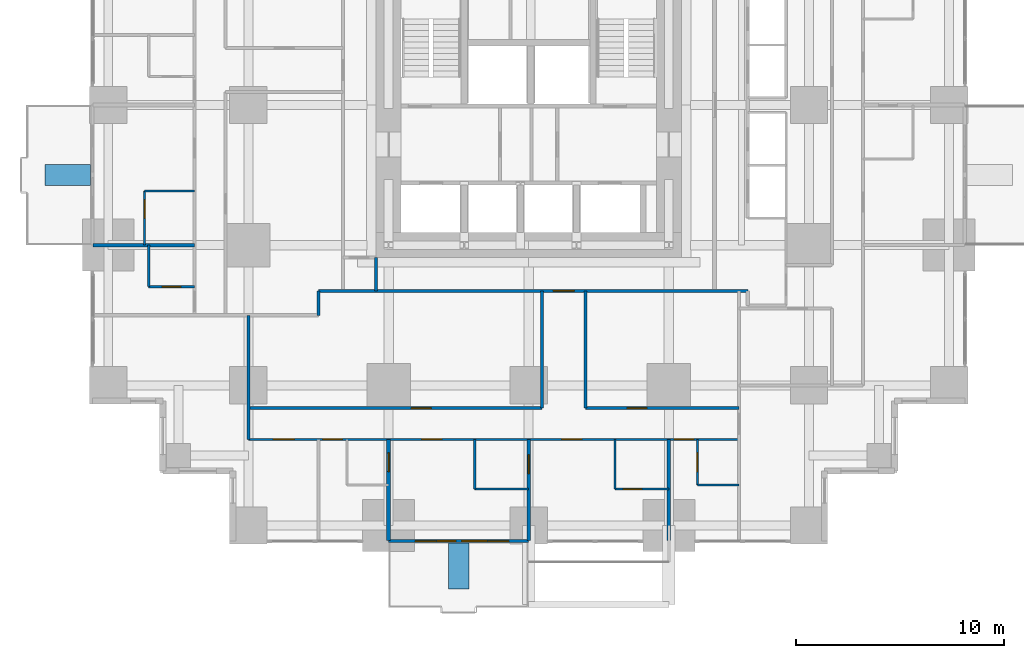
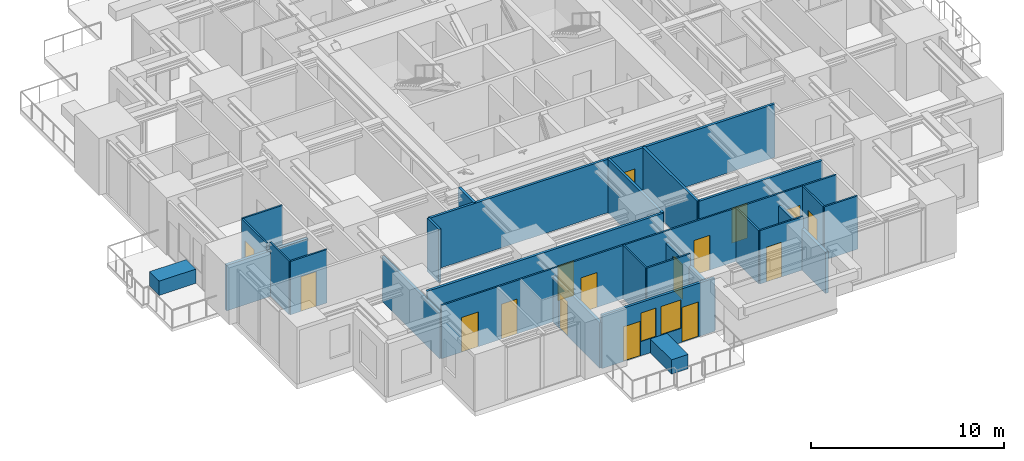
# One storey, part 6 of 12: 26 walls, 16 doors, 2 windows, 18 openings.
"""IFC4 building model written with IfcOpenShell, lengths in metres."""

from ifc_helpers import new_model, si_unit, direction, frame, frame_2d, origin, place, context, subcontext, project, spatial, rectangle, extrude, material, layer, layer_set, type_object, element, fill, save


model = new_model("IFC4")

# Units and contexts
model_context = context("Model", 3, precision=1e-05, world=origin(), true_north=direction((0.0, 1.0)))
body_context = subcontext(model_context, "Body", "Model", "MODEL_VIEW")
ifc_project = project(units=[si_unit("LENGTHUNIT", "METRE"), si_unit("AREAUNIT", "SQUARE_METRE"), si_unit("VOLUMEUNIT", "CUBIC_METRE"), si_unit("PLANEANGLEUNIT", "RADIAN"), si_unit("MASSUNIT", "GRAM", prefix="KILO")], contexts=[model_context])

# Site, building, storey
site_placement = place(None, origin())
site = spatial("IfcSite", under=ifc_project, at=site_placement, CompositionType="ELEMENT")
building_placement = place(site_placement, origin())
building = spatial("IfcBuilding", under=site, at=building_placement, Name="Nyansa Garden Tower", CompositionType="ELEMENT")
storey_placement = place(building_placement, frame((0.0, 0.0, 80.10009765625)))
storey = spatial("IfcBuildingStorey", under=building, at=storey_placement, Name="L21", CompositionType="ELEMENT", Elevation=80.10009765625)

# Wall
ifc_material_1 = material(Name="Dense blockwork, plastered both sides, 55 dB", Category="masonry")
ifc_layer_1 = layer(ifc_material_1, 0.175048828125)
ifc_layer_set_1 = layer_set([ifc_layer_1], Name="Acoustic party wall PW175")
wall_type_1 = type_object("IfcWallType", Name="Acoustic party wall PW175", PredefinedType="PARTITIONING", material=ifc_layer_set_1)
wall_1_placement = place(storey_placement, frame((-0.73388671875, 13.5, 0.0), z_axis=(0.0, 0.0, 1.0), x_axis=(1.0, 0.0, 0.0)))
element("IfcWall", 1, at=wall_1_placement, inside=storey, type_object=wall_type_1, Name="Party wall", PredefinedType="PARTITIONING", context=body_context, shape_type="SweptSolid", body=[
    extrude(rectangle(XDim=4.8837890625, YDim=0.175048828125, at=frame_2d((2.44189453125, 0.0))), origin(), (0.0, 0.0, 1.0), 2.876953125),
])

# Wall, opening, door
wall_2_placement = place(storey_placement, frame((13.5, -0.73388671875, 0.0), z_axis=(0.0, 0.0, 1.0), x_axis=(0.0, 1.0, 0.0)))
wall_2 = element("IfcWall", 2, at=wall_2_placement, inside=storey, type_object=wall_type_1, Name="Party wall", PredefinedType="PARTITIONING", context=body_context, shape_type="SweptSolid", body=[
    extrude(rectangle(XDim=4.8837890625, YDim=0.175048828125, at=frame_2d((2.44189453125, 0.0))), origin(), (0.0, 0.0, 1.0), 2.876953125),
])
opening_1_placement = place(wall_2_placement, frame((3.333984375, 0.0, 0.0)))
opening_1 = element("IfcOpeningElement", 3, at=opening_1_placement, cuts=wall_2, Name="Opening D02", PredefinedType="OPENING", context=body_context, shape_type="SweptSolid", body=[
    extrude(rectangle(XDim=0.89990234375, YDim=2.199951171875, at=frame_2d((0.449951171875, 1.10009765625))), frame((0.0, 0.097412109375, 0.0), z_axis=(0.0, -1.0, 0.0), x_axis=(1.0, 0.0, 0.0)), (0.0, 0.0, 1.0), 0.195068359375),
])
ifc_material_2 = material(Name="Timber flush door", Category="wood")
door_type_1 = type_object("IfcDoorType", Name="En-suite door D02 900x2200", OperationType="SINGLE_SWING_RIGHT", PredefinedType="DOOR", material=ifc_material_2)
door_1_placement = place(opening_1_placement, origin())
door_1 = element("IfcDoor", 4, at=door_1_placement, inside=storey, type_object=door_type_1, Name="Door L21-024", OperationType="SINGLE_SWING_RIGHT", OverallHeight=2.199951171875, OverallWidth=0.89990234375, PredefinedType="DOOR", context=body_context, shape_type="SweptSolid", body=[
    extrude(rectangle(XDim=0.89990234375, YDim=2.199951171875, at=frame_2d((0.449951171875, 1.10009765625))), frame((0.0, 0.02490234375, 0.0), z_axis=(0.0, -1.0, 0.0), x_axis=(1.0, 0.0, 0.0)), (0.0, 0.0, 1.0), 0.050048828125),
])
fill(opening_1, door_1)

wall_3_placement = place(storey_placement, frame((20.25, -0.73388671875, 0.0), z_axis=(0.0, 0.0, 1.0), x_axis=(0.0, 1.0, 0.0)))
wall_3 = element("IfcWall", 5, at=wall_3_placement, inside=storey, type_object=wall_type_1, Name="Party wall", PredefinedType="PARTITIONING", context=body_context, shape_type="SweptSolid", body=[
    extrude(rectangle(XDim=4.8837890625, YDim=0.175048828125, at=frame_2d((2.44189453125, 0.0))), origin(), (0.0, 0.0, 1.0), 2.60986328125),
])
opening_2_placement = place(wall_3_placement, frame((3.23388671875, 0.0, 0.0)))
opening_2 = element("IfcOpeningElement", 6, at=opening_2_placement, cuts=wall_3, Name="Opening D02", PredefinedType="OPENING", context=body_context, shape_type="SweptSolid", body=[
    extrude(rectangle(XDim=0.89990234375, YDim=2.199951171875, at=frame_2d((0.449951171875, 1.10009765625))), frame((0.0, 0.097412109375, 0.0), z_axis=(0.0, -1.0, 0.0), x_axis=(1.0, 0.0, 0.0)), (0.0, 0.0, 1.0), 0.195068359375),
])
door_2_placement = place(opening_2_placement, origin())
door_2 = element("IfcDoor", 7, at=door_2_placement, inside=storey, type_object=door_type_1, Name="Door L21-022", OperationType="SINGLE_SWING_RIGHT", OverallHeight=2.199951171875, OverallWidth=0.89990234375, PredefinedType="DOOR", context=body_context, shape_type="SweptSolid", body=[
    extrude(rectangle(XDim=0.89990234375, YDim=2.199951171875, at=frame_2d((0.449951171875, 1.10009765625))), frame((0.0, 0.02490234375, 0.0), z_axis=(0.0, -1.0, 0.0), x_axis=(1.0, 0.0, 0.0)), (0.0, 0.0, 1.0), 0.050048828125),
])
fill(opening_2, door_2)

# Wall
wall_4_placement = place(storey_placement, frame((27.0, -0.73388671875, 0.0), z_axis=(0.0, 0.0, 1.0), x_axis=(0.0, 1.0, 0.0)))
element("IfcWall", 8, at=wall_4_placement, inside=storey, type_object=wall_type_1, Name="Party wall", PredefinedType="PARTITIONING", context=body_context, shape_type="SweptSolid", body=[
    extrude(rectangle(XDim=4.8837890625, YDim=0.175048828125, at=frame_2d((2.44189453125, 0.0))), origin(), (0.0, 0.0, 1.0), 2.60986328125),
])

# Wall, openings, doors, windows
ifc_material_3 = material(Name="Black aluminium framed glazed screen", Category="aluminium")
ifc_layer_2 = layer(ifc_material_3, 0.14990234375)
ifc_layer_set_2 = layer_set([ifc_layer_2], Name="Balcony screen wall BW150")
wall_type_2 = type_object("IfcWallType", Name="Balcony screen wall BW150", PredefinedType="SOLIDWALL", material=ifc_layer_set_2)
wall_5_placement = place(storey_placement, frame((20.25, -0.75, 0.0), z_axis=(0.0, 0.0, 1.0), x_axis=(-1.0, 0.0, 0.0)))
wall_5 = element("IfcWall", 9, at=wall_5_placement, inside=storey, type_object=wall_type_2, Name="Glazed screen wall L21 S", PredefinedType="SOLIDWALL", context=body_context, shape_type="SweptSolid", body=[
    extrude(rectangle(XDim=6.75, YDim=0.14990234375, at=frame_2d((3.375, 0.0))), origin(), (0.0, 0.0, 1.0), 3.375),
])
opening_3_placement = place(wall_5_placement, frame((0.96240234375, 0.0, 0.0)))
opening_3 = element("IfcOpeningElement", 10, at=opening_3_placement, cuts=wall_5, Name="Opening D20", PredefinedType="OPENING", context=body_context, shape_type="SweptSolid", body=[
    extrude(rectangle(XDim=1.0, YDim=2.199951171875, at=frame_2d((0.5, 1.10009765625))), frame((0.0, 0.0849609375, 0.0), z_axis=(0.0, -1.0, 0.0), x_axis=(1.0, 0.0, 0.0)), (0.0, 0.0, 1.0), 0.169921875),
])
opening_4_placement = place(wall_5_placement, frame((2.02490234375, 0.0, 0.89990234375)))
opening_4 = element("IfcOpeningElement", 11, at=opening_4_placement, cuts=wall_5, Name="Opening W6", PredefinedType="OPENING", context=body_context, shape_type="SweptSolid", body=[
    extrude(rectangle(XDim=1.199951171875, YDim=1.800048828125, at=frame_2d((0.60009765625, 0.89990234375))), frame((0.0, 0.0849609375, 0.0), z_axis=(0.0, -1.0, 0.0), x_axis=(1.0, 0.0, 0.0)), (0.0, 0.0, 1.0), 0.169921875),
])
opening_5_placement = place(wall_5_placement, frame((4.4541015625, 0.0, 0.0)))
opening_5 = element("IfcOpeningElement", 12, at=opening_5_placement, cuts=wall_5, Name="Opening D20", PredefinedType="OPENING", context=body_context, shape_type="SweptSolid", body=[
    extrude(rectangle(XDim=1.0, YDim=2.199951171875, at=frame_2d((0.5, 1.10009765625))), frame((0.0, 0.0849609375, 0.0), z_axis=(0.0, -1.0, 0.0), x_axis=(1.0, 0.0, 0.0)), (0.0, 0.0, 1.0), 0.169921875),
])
opening_6_placement = place(wall_5_placement, frame((3.50830078125, 0.0, 0.89990234375)))
opening_6 = element("IfcOpeningElement", 13, at=opening_6_placement, cuts=wall_5, Name="Opening W7", PredefinedType="OPENING", context=body_context, shape_type="SweptSolid", body=[
    extrude(rectangle(XDim=0.89990234375, YDim=1.800048828125, at=frame_2d((0.449951171875, 0.89990234375))), frame((0.0, 0.0849609375, 0.0), z_axis=(0.0, -1.0, 0.0), x_axis=(1.0, 0.0, 0.0)), (0.0, 0.0, 1.0), 0.169921875),
])
ifc_material_4 = material(Name="Black aluminium framed glazed door", Category="aluminium")
door_type_2 = type_object("IfcDoorType", Name="Balcony door D20 1000x2200", OperationType="NOTDEFINED", PredefinedType="DOOR", material=ifc_material_4)
door_3_placement = place(opening_3_placement, origin())
door_3 = element("IfcDoor", 14, at=door_3_placement, inside=storey, type_object=door_type_2, Name="Balcony door L21", OperationType="SINGLE_SWING_LEFT", OverallHeight=2.199951171875, OverallWidth=1.0, PredefinedType="DOOR", context=body_context, shape_type="SweptSolid", body=[
    extrude(rectangle(XDim=1.0, YDim=2.199951171875, at=frame_2d((0.5, 1.10009765625))), frame((0.0, 0.02490234375, 0.0), z_axis=(0.0, -1.0, 0.0), x_axis=(1.0, 0.0, 0.0)), (0.0, 0.0, 1.0), 0.050048828125),
])
fill(opening_3, door_3)
door_4_placement = place(opening_5_placement, origin())
door_4 = element("IfcDoor", 15, at=door_4_placement, inside=storey, type_object=door_type_2, Name="Balcony door L21", OperationType="SINGLE_SWING_RIGHT", OverallHeight=2.199951171875, OverallWidth=1.0, PredefinedType="DOOR", context=body_context, shape_type="SweptSolid", body=[
    extrude(rectangle(XDim=1.0, YDim=2.199951171875, at=frame_2d((0.5, 1.10009765625))), frame((0.0, 0.02490234375, 0.0), z_axis=(0.0, -1.0, 0.0), x_axis=(1.0, 0.0, 0.0)), (0.0, 0.0, 1.0), 0.050048828125),
])
fill(opening_5, door_4)
ifc_material_5 = material(Name="Black aluminium frame, dark tinted double glazing", Category="aluminium")
window_type_1 = type_object("IfcWindowType", Name="Balcony window W6 1200x1800", PartitioningType="SINGLE_PANEL", PredefinedType="WINDOW", material=ifc_material_5)
window_1_placement = place(opening_4_placement, origin())
window_1 = element("IfcWindow", 16, at=window_1_placement, inside=storey, type_object=window_type_1, Name="Window L21", OverallHeight=1.800048828125, OverallWidth=1.199951171875, PartitioningType="SINGLE_PANEL", PredefinedType="WINDOW", context=body_context, shape_type="SweptSolid", body=[
    extrude(rectangle(XDim=1.199951171875, YDim=1.800048828125, at=frame_2d((0.60009765625, 0.89990234375))), frame((0.0, 0.030029296875, 0.0), z_axis=(0.0, -1.0, 0.0), x_axis=(1.0, 0.0, 0.0)), (0.0, 0.0, 1.0), 0.06005859375),
])
fill(opening_4, window_1)
ifc_material_6 = material(Name="Black aluminium frame, dark tinted double glazing", Category="aluminium")
window_type_2 = type_object("IfcWindowType", Name="Balcony window W7 900x1800", PartitioningType="SINGLE_PANEL", PredefinedType="WINDOW", material=ifc_material_6)
window_2_placement = place(opening_6_placement, origin())
window_2 = element("IfcWindow", 17, at=window_2_placement, inside=storey, type_object=window_type_2, Name="Window L21", OverallHeight=1.800048828125, OverallWidth=0.89990234375, PartitioningType="SINGLE_PANEL", PredefinedType="WINDOW", context=body_context, shape_type="SweptSolid", body=[
    extrude(rectangle(XDim=0.89990234375, YDim=1.800048828125, at=frame_2d((0.449951171875, 0.89990234375))), frame((0.0, 0.030029296875, 0.0), z_axis=(0.0, -1.0, 0.0), x_axis=(1.0, 0.0, 0.0)), (0.0, 0.0, 1.0), 0.06005859375),
])
fill(opening_6, window_2)

# Wall
ifc_material_7 = material(Name="Blockwork, plastered both sides", Category="masonry")
ifc_layer_3 = layer(ifc_material_7, 0.14990234375)
ifc_layer_set_3 = layer_set([ifc_layer_3], Name="Partition PW150")
wall_type_3 = type_object("IfcWallType", Name="Partition PW150", PredefinedType="PARTITIONING", material=ifc_layer_set_3)
wall_6_placement = place(storey_placement, frame((6.75, 4.14990234375, 0.0), z_axis=(0.0, 0.0, 1.0), x_axis=(0.0, 1.0, 0.0)))
element("IfcWall", 18, at=wall_6_placement, inside=storey, type_object=wall_type_3, Name="Partition", PredefinedType="PARTITIONING", context=body_context, shape_type="SweptSolid", body=[
    extrude(rectangle(XDim=5.97509765625, YDim=0.14990234375, at=frame_2d((2.987548828125, 0.0))), origin(), (0.0, 0.0, 1.0), 2.876953125),
])

# Wall, opening, door
wall_7_placement = place(storey_placement, frame((6.75, 5.64990234375, 0.0), z_axis=(0.0, 0.0, 1.0), x_axis=(1.0, 0.0, 0.0)))
wall_7 = element("IfcWall", 19, at=wall_7_placement, inside=storey, type_object=wall_type_3, Name="Partition", PredefinedType="PARTITIONING", context=body_context, shape_type="SweptSolid", body=[
    extrude(rectangle(XDim=14.137451171875, YDim=0.14990234375, at=frame_2d((7.06884765625, 0.0))), origin(), (0.0, 0.0, 1.0), 3.375),
])
opening_7_placement = place(wall_7_placement, frame((7.85009765625, 0.0, 0.0)))
opening_7 = element("IfcOpeningElement", 20, at=opening_7_placement, cuts=wall_7, Name="Opening D01", PredefinedType="OPENING", context=body_context, shape_type="SweptSolid", body=[
    extrude(rectangle(XDim=0.949951171875, YDim=2.199951171875, at=frame_2d((0.47509765625, 1.10009765625))), frame((0.0, 0.0849609375, 0.0), z_axis=(0.0, -1.0, 0.0), x_axis=(1.0, 0.0, 0.0)), (0.0, 0.0, 1.0), 0.169921875),
])
ifc_material_8 = material(Name="Timber flush door, 30 minute fire resisting", Category="wood")
door_type_3 = type_object("IfcDoorType", Name="Bedroom door D01 950x2200", OperationType="SINGLE_SWING_LEFT", PredefinedType="DOOR", material=ifc_material_8)
door_5_placement = place(opening_7_placement, origin())
door_5 = element("IfcDoor", 21, at=door_5_placement, inside=storey, type_object=door_type_3, Name="Door L21-029", OperationType="SINGLE_SWING_LEFT", OverallHeight=2.199951171875, OverallWidth=0.949951171875, PredefinedType="DOOR", context=body_context, shape_type="SweptSolid", body=[
    extrude(rectangle(XDim=0.949951171875, YDim=2.199951171875, at=frame_2d((0.47509765625, 1.10009765625))), frame((0.0, 0.02490234375, 0.0), z_axis=(0.0, -1.0, 0.0), x_axis=(1.0, 0.0, 0.0)), (0.0, 0.0, 1.0), 0.050048828125),
])
fill(opening_7, door_5)

# Wall
wall_8_placement = place(storey_placement, frame((10.125, 10.125, 0.0), z_axis=(0.0, 0.0, 1.0), x_axis=(0.0, 1.0, 0.0)))
element("IfcWall", 22, at=wall_8_placement, inside=storey, type_object=wall_type_3, Name="Partition", PredefinedType="PARTITIONING", context=body_context, shape_type="SweptSolid", body=[
    extrude(rectangle(XDim=1.175048828125, YDim=0.14990234375, at=frame_2d((0.58740234375, 0.0))), origin(), (0.0, 0.0, 1.0), 3.375),
])

# Wall, opening, door
wall_9_placement = place(storey_placement, frame((10.125, 11.300048828125, 0.0), z_axis=(0.0, 0.0, 1.0), x_axis=(1.0, 0.0, 0.0)))
wall_9 = element("IfcWall", 23, at=wall_9_placement, inside=storey, type_object=wall_type_3, Name="Partition", PredefinedType="PARTITIONING", context=body_context, shape_type="SweptSolid", body=[
    extrude(rectangle(XDim=20.675048828125, YDim=0.14990234375, at=frame_2d((10.33740234375, 0.0))), origin(), (0.0, 0.0, 1.0), 3.375),
])
opening_8_placement = place(wall_9_placement, frame((11.3125, 0.0, 0.0)))
opening_8 = element("IfcOpeningElement", 24, at=opening_8_placement, cuts=wall_9, Name="Opening D03", PredefinedType="OPENING", context=body_context, shape_type="SweptSolid", body=[
    extrude(rectangle(XDim=1.0, YDim=2.199951171875, at=frame_2d((0.5, 1.10009765625))), frame((0.0, 0.0849609375, 0.0), z_axis=(0.0, -1.0, 0.0), x_axis=(1.0, 0.0, 0.0)), (0.0, 0.0, 1.0), 0.169921875),
])
ifc_material_9 = material(Name="Timber flush door, 60 minute fire resisting", Category="wood")
door_type_4 = type_object("IfcDoorType", Name="Cluster entrance door D03 1000x2200", OperationType="SINGLE_SWING_LEFT", PredefinedType="DOOR", material=ifc_material_9)
door_6_placement = place(opening_8_placement, origin())
door_6 = element("IfcDoor", 25, at=door_6_placement, inside=storey, type_object=door_type_4, Name="Door L21-027", OperationType="SINGLE_SWING_LEFT", OverallHeight=2.199951171875, OverallWidth=1.0, PredefinedType="DOOR", context=body_context, shape_type="SweptSolid", body=[
    extrude(rectangle(XDim=1.0, YDim=2.199951171875, at=frame_2d((0.5, 1.10009765625))), frame((0.0, 0.02490234375, 0.0), z_axis=(0.0, -1.0, 0.0), x_axis=(1.0, 0.0, 0.0)), (0.0, 0.0, 1.0), 0.050048828125),
])
fill(opening_8, door_6)

# Walls
wall_10_placement = place(storey_placement, frame((12.89990234375, 11.300048828125, 0.0), z_axis=(0.0, 0.0, 1.0), x_axis=(0.0, 1.0, 0.0)))
element("IfcWall", 26, at=wall_10_placement, inside=storey, type_object=wall_type_3, Name="Partition", PredefinedType="PARTITIONING", context=body_context, shape_type="SweptSolid", body=[
    extrude(rectangle(XDim=1.599853515625, YDim=0.14990234375, at=frame_2d((0.7998046875, 0.0))), origin(), (0.0, 0.0, 1.0), 3.375),
])
wall_11_placement = place(storey_placement, frame((20.886962890625, 5.64990234375, 0.0), z_axis=(0.0, 0.0, 1.0), x_axis=(0.0, 1.0, 0.0)))
element("IfcWall", 27, at=wall_11_placement, inside=storey, type_object=wall_type_3, Name="Partition", PredefinedType="PARTITIONING", context=body_context, shape_type="SweptSolid", body=[
    extrude(rectangle(XDim=5.650146484375, YDim=0.14990234375, at=frame_2d((2.8251953125, 0.0))), origin(), (0.0, 0.0, 1.0), 3.375),
])

# Wall, opening, door
wall_12_placement = place(storey_placement, frame((22.987548828125, 5.64990234375, 0.0), z_axis=(0.0, 0.0, 1.0), x_axis=(1.0, 0.0, 0.0)))
wall_12 = element("IfcWall", 28, at=wall_12_placement, inside=storey, type_object=wall_type_3, Name="Partition", PredefinedType="PARTITIONING", context=body_context, shape_type="SweptSolid", body=[
    extrude(rectangle(XDim=7.387451171875, YDim=0.14990234375, at=frame_2d((3.69384765625, 0.0))), origin(), (0.0, 0.0, 1.0), 3.375),
])
opening_9_placement = place(wall_12_placement, frame((2.0, 0.0, 0.0)))
opening_9 = element("IfcOpeningElement", 29, at=opening_9_placement, cuts=wall_12, Name="Opening D01", PredefinedType="OPENING", context=body_context, shape_type="SweptSolid", body=[
    extrude(rectangle(XDim=0.949951171875, YDim=2.199951171875, at=frame_2d((0.47509765625, 1.10009765625))), frame((0.0, 0.0849609375, 0.0), z_axis=(0.0, -1.0, 0.0), x_axis=(1.0, 0.0, 0.0)), (0.0, 0.0, 1.0), 0.169921875),
])
door_7_placement = place(opening_9_placement, origin())
door_7 = element("IfcDoor", 30, at=door_7_placement, inside=storey, type_object=door_type_3, Name="Door L21-028", OperationType="SINGLE_SWING_LEFT", OverallHeight=2.199951171875, OverallWidth=0.949951171875, PredefinedType="DOOR", context=body_context, shape_type="SweptSolid", body=[
    extrude(rectangle(XDim=0.949951171875, YDim=2.199951171875, at=frame_2d((0.47509765625, 1.10009765625))), frame((0.0, 0.02490234375, 0.0), z_axis=(0.0, -1.0, 0.0), x_axis=(1.0, 0.0, 0.0)), (0.0, 0.0, 1.0), 0.050048828125),
])
fill(opening_9, door_7)

# Walls
wall_13_placement = place(storey_placement, frame((22.988037109375, 5.64990234375, 0.0), z_axis=(0.0, 0.0, 1.0), x_axis=(0.0, 1.0, 0.0)))
element("IfcWall", 31, at=wall_13_placement, inside=storey, type_object=wall_type_3, Name="Partition", PredefinedType="PARTITIONING", context=body_context, shape_type="SweptSolid", body=[
    extrude(rectangle(XDim=5.650146484375, YDim=0.14990234375, at=frame_2d((2.8251953125, 0.0))), origin(), (0.0, 0.0, 1.0), 3.375),
])
ifc_material_10 = material(Name="Concrete C40/50 planter, waterproofed", Category="concrete")
ifc_layer_4 = layer(ifc_material_10, 1.0)
ifc_layer_set_4 = layer_set([ifc_layer_4], Name="Tree planter TP1")
wall_type_4 = type_object("IfcWallType", Name="Tree planter TP1", PredefinedType="USERDEFINED", material=ifc_layer_set_4)
for number, where, z_axis, x_axis, name in (
    (32, (16.875, -0.85009765625, 0.0), (0.0, 0.0, 1.0), (0.0, -1.0, 0.0), "Tree planter L21"),
    (33, (-0.85009765625, 16.875, 0.0), (0.0, 0.0, 1.0), (-1.0, 0.0, 0.0), "Tree planter L21"),
):
    element("IfcWall", number, at=place(storey_placement, frame(where, z_axis=z_axis, x_axis=x_axis)), inside=storey, type_object=wall_type_4, Name=name, ObjectType="TREE PLANTER", PredefinedType="USERDEFINED", context=body_context, shape_type="SweptSolid", body=[
        extrude(rectangle(XDim=2.199951171875, YDim=1.0, at=frame_2d((1.10009765625, 0.0))), origin(), (0.0, 0.0, 1.0), 0.89990234375),
    ])

# Wall, opening, door
ifc_material_11 = material(Name="Moisture resistant board on steel studs, tiled", Category="steel")
ifc_layer_5 = layer(ifc_material_11, 0.10009765625)
ifc_layer_set_5 = layer_set([ifc_layer_5], Name="Wet wall PW100")
wall_type_5 = type_object("IfcWallType", Name="Wet wall PW100", PredefinedType="PARTITIONING", material=ifc_layer_set_5)
wall_14_placement = place(storey_placement, frame((1.75, 13.5, 0.0), z_axis=(0.0, 0.0, 1.0), x_axis=(0.0, 1.0, 0.0)))
wall_14 = element("IfcWall", 34, at=wall_14_placement, inside=storey, type_object=wall_type_5, Name="Wet wall", PredefinedType="PARTITIONING", context=body_context, shape_type="SweptSolid", body=[
    extrude(rectangle(XDim=2.60009765625, YDim=0.10009765625, at=frame_2d((1.300048828125, 0.0))), origin(), (0.0, 0.0, 1.0), 3.375),
])
opening_10_placement = place(wall_14_placement, frame((1.300048828125, 0.0, 0.0)))
opening_10 = element("IfcOpeningElement", 35, at=opening_10_placement, cuts=wall_14, Name="Opening D02", PredefinedType="OPENING", context=body_context, shape_type="SweptSolid", body=[
    extrude(rectangle(XDim=0.89990234375, YDim=2.199951171875, at=frame_2d((0.449951171875, 1.10009765625))), frame((0.0, 0.06005859375, 0.0), z_axis=(0.0, -1.0, 0.0), x_axis=(1.0, 0.0, 0.0)), (0.0, 0.0, 1.0), 0.1201171875),
])
door_8_placement = place(opening_10_placement, origin())
door_8 = element("IfcDoor", 36, at=door_8_placement, inside=storey, type_object=door_type_1, Name="Door L21-050", OperationType="SINGLE_SWING_RIGHT", OverallHeight=2.199951171875, OverallWidth=0.89990234375, PredefinedType="DOOR", context=body_context, shape_type="SweptSolid", body=[
    extrude(rectangle(XDim=0.89990234375, YDim=2.199951171875, at=frame_2d((0.449951171875, 1.10009765625))), frame((0.0, 0.02490234375, 0.0), z_axis=(0.0, -1.0, 0.0), x_axis=(1.0, 0.0, 0.0)), (0.0, 0.0, 1.0), 0.050048828125),
])
fill(opening_10, door_8)

# Walls
wall_15_placement = place(storey_placement, frame((1.75, 16.10009765625, 0.0), z_axis=(0.0, 0.0, 1.0), x_axis=(1.0, 0.0, 0.0)))
element("IfcWall", 37, at=wall_15_placement, inside=storey, type_object=wall_type_5, Name="Wet wall", PredefinedType="PARTITIONING", context=body_context, shape_type="SweptSolid", body=[
    extrude(rectangle(XDim=2.39990234375, YDim=0.10009765625, at=frame_2d((1.199951171875, 0.0))), origin(), (0.0, 0.0, 1.0), 3.375),
])
wall_16_placement = place(storey_placement, frame((1.949951171875, 11.5, 0.0), z_axis=(0.0, 0.0, 1.0), x_axis=(0.0, 1.0, 0.0)))
element("IfcWall", 38, at=wall_16_placement, inside=storey, type_object=wall_type_5, Name="Wet wall", PredefinedType="PARTITIONING", context=body_context, shape_type="SweptSolid", body=[
    extrude(rectangle(XDim=2.0, YDim=0.10009765625, at=frame_2d((1.0, 0.0))), origin(), (0.0, 0.0, 1.0), 3.375),
])

# Wall, opening, door
wall_17_placement = place(storey_placement, frame((1.949951171875, 11.5, 0.0), z_axis=(0.0, 0.0, 1.0), x_axis=(1.0, 0.0, 0.0)))
wall_17 = element("IfcWall", 39, at=wall_17_placement, inside=storey, type_object=wall_type_5, Name="Wet wall", PredefinedType="PARTITIONING", context=body_context, shape_type="SweptSolid", body=[
    extrude(rectangle(XDim=2.199951171875, YDim=0.10009765625, at=frame_2d((1.10009765625, 0.0))), origin(), (0.0, 0.0, 1.0), 3.375),
])
opening_11_placement = place(wall_17_placement, frame((0.64990234375, 0.0, 0.0)))
opening_11 = element("IfcOpeningElement", 40, at=opening_11_placement, cuts=wall_17, Name="Opening D02", PredefinedType="OPENING", context=body_context, shape_type="SweptSolid", body=[
    extrude(rectangle(XDim=0.89990234375, YDim=2.199951171875, at=frame_2d((0.449951171875, 1.10009765625))), frame((0.0, 0.06005859375, 0.0), z_axis=(0.0, -1.0, 0.0), x_axis=(1.0, 0.0, 0.0)), (0.0, 0.0, 1.0), 0.1201171875),
])
door_9_placement = place(opening_11_placement, origin())
door_9 = element("IfcDoor", 41, at=door_9_placement, inside=storey, type_object=door_type_1, Name="Door L21-052", OperationType="SINGLE_SWING_RIGHT", OverallHeight=2.199951171875, OverallWidth=0.89990234375, PredefinedType="DOOR", context=body_context, shape_type="SweptSolid", body=[
    extrude(rectangle(XDim=0.89990234375, YDim=2.199951171875, at=frame_2d((0.449951171875, 1.10009765625))), frame((0.0, 0.02490234375, 0.0), z_axis=(0.0, -1.0, 0.0), x_axis=(1.0, 0.0, 0.0)), (0.0, 0.0, 1.0), 0.050048828125),
])
fill(opening_11, door_9)

# Wall, openings, doors
wall_18_placement = place(storey_placement, frame((6.75, 4.14990234375, 0.0), z_axis=(0.0, 0.0, 1.0), x_axis=(1.0, 0.0, 0.0)))
wall_18 = element("IfcWall", 42, at=wall_18_placement, inside=storey, type_object=wall_type_5, Name="Wet wall", PredefinedType="PARTITIONING", context=body_context, shape_type="SweptSolid", body=[
    extrude(rectangle(XDim=23.625, YDim=0.10009765625, at=frame_2d((11.8125, 0.0))), origin(), (0.0, 0.0, 1.0), 3.375),
])
opening_12_placement = place(wall_18_placement, frame((1.199951171875, 0.0, 0.0)))
opening_12 = element("IfcOpeningElement", 43, at=opening_12_placement, cuts=wall_18, Name="Opening D03", PredefinedType="OPENING", context=body_context, shape_type="SweptSolid", body=[
    extrude(rectangle(XDim=1.0, YDim=2.199951171875, at=frame_2d((0.5, 1.10009765625))), frame((0.0, 0.06005859375, 0.0), z_axis=(0.0, -1.0, 0.0), x_axis=(1.0, 0.0, 0.0)), (0.0, 0.0, 1.0), 0.1201171875),
])
opening_13_placement = place(wall_18_placement, frame((15.10009765625, 0.0, 0.0)))
opening_13 = element("IfcOpeningElement", 44, at=opening_13_placement, cuts=wall_18, Name="Opening D14", PredefinedType="OPENING", context=body_context, shape_type="SweptSolid", body=[
    extrude(rectangle(XDim=0.949951171875, YDim=2.199951171875, at=frame_2d((0.47509765625, 1.10009765625))), frame((0.0, 0.06005859375, 0.0), z_axis=(0.0, -1.0, 0.0), x_axis=(1.0, 0.0, 0.0)), (0.0, 0.0, 1.0), 0.1201171875),
])
opening_14_placement = place(wall_18_placement, frame((8.35009765625, 0.0, 0.0)))
opening_14 = element("IfcOpeningElement", 45, at=opening_14_placement, cuts=wall_18, Name="Opening D14", PredefinedType="OPENING", context=body_context, shape_type="SweptSolid", body=[
    extrude(rectangle(XDim=0.949951171875, YDim=2.199951171875, at=frame_2d((0.47509765625, 1.10009765625))), frame((0.0, 0.06005859375, 0.0), z_axis=(0.0, -1.0, 0.0), x_axis=(1.0, 0.0, 0.0)), (0.0, 0.0, 1.0), 0.1201171875),
])
opening_15_placement = place(wall_18_placement, frame((3.574951171875, 0.0, 0.0)))
opening_15 = element("IfcOpeningElement", 46, at=opening_15_placement, cuts=wall_18, Name="Opening D14", PredefinedType="OPENING", context=body_context, shape_type="SweptSolid", body=[
    extrude(rectangle(XDim=0.949951171875, YDim=2.199951171875, at=frame_2d((0.47509765625, 1.10009765625))), frame((0.0, 0.06005859375, 0.0), z_axis=(0.0, -1.0, 0.0), x_axis=(1.0, 0.0, 0.0)), (0.0, 0.0, 1.0), 0.1201171875),
])
opening_16_placement = place(wall_18_placement, frame((20.5, 0.0, 0.0)))
opening_16 = element("IfcOpeningElement", 47, at=opening_16_placement, cuts=wall_18, Name="Opening D14", PredefinedType="OPENING", context=body_context, shape_type="SweptSolid", body=[
    extrude(rectangle(XDim=0.949951171875, YDim=2.199951171875, at=frame_2d((0.47509765625, 1.10009765625))), frame((0.0, 0.06005859375, 0.0), z_axis=(0.0, -1.0, 0.0), x_axis=(1.0, 0.0, 0.0)), (0.0, 0.0, 1.0), 0.1201171875),
])
door_10_placement = place(opening_12_placement, origin())
door_10 = element("IfcDoor", 48, at=door_10_placement, inside=storey, type_object=door_type_4, Name="Door L21-018", OperationType="SINGLE_SWING_LEFT", OverallHeight=2.199951171875, OverallWidth=1.0, PredefinedType="DOOR", context=body_context, shape_type="SweptSolid", body=[
    extrude(rectangle(XDim=1.0, YDim=2.199951171875, at=frame_2d((0.5, 1.10009765625))), frame((0.0, 0.02490234375, 0.0), z_axis=(0.0, -1.0, 0.0), x_axis=(1.0, 0.0, 0.0)), (0.0, 0.0, 1.0), 0.050048828125),
])
fill(opening_12, door_10)
ifc_material_12 = material(Name="Timber flush door, 60 minute fire resisting, self-closing", Category="wood")
door_type_5 = type_object("IfcDoorType", Name="Studio entrance door D14 950x2200", OperationType="SINGLE_SWING_LEFT", PredefinedType="DOOR", material=ifc_material_12)
door_11_placement = place(opening_13_placement, origin())
door_11 = element("IfcDoor", 49, at=door_11_placement, inside=storey, type_object=door_type_5, Name="Door L21-019", OperationType="SINGLE_SWING_LEFT", OverallHeight=2.199951171875, OverallWidth=0.949951171875, PredefinedType="DOOR", context=body_context, shape_type="SweptSolid", body=[
    extrude(rectangle(XDim=0.949951171875, YDim=2.199951171875, at=frame_2d((0.47509765625, 1.10009765625))), frame((0.0, 0.02490234375, 0.0), z_axis=(0.0, -1.0, 0.0), x_axis=(1.0, 0.0, 0.0)), (0.0, 0.0, 1.0), 0.050048828125),
])
fill(opening_13, door_11)
door_12_placement = place(opening_14_placement, origin())
door_12 = element("IfcDoor", 50, at=door_12_placement, inside=storey, type_object=door_type_5, Name="Door L21-021", OperationType="SINGLE_SWING_LEFT", OverallHeight=2.199951171875, OverallWidth=0.949951171875, PredefinedType="DOOR", context=body_context, shape_type="SweptSolid", body=[
    extrude(rectangle(XDim=0.949951171875, YDim=2.199951171875, at=frame_2d((0.47509765625, 1.10009765625))), frame((0.0, 0.02490234375, 0.0), z_axis=(0.0, -1.0, 0.0), x_axis=(1.0, 0.0, 0.0)), (0.0, 0.0, 1.0), 0.050048828125),
])
fill(opening_14, door_12)
door_13_placement = place(opening_15_placement, origin())
door_13 = element("IfcDoor", 51, at=door_13_placement, inside=storey, type_object=door_type_5, Name="Door L21-023", OperationType="SINGLE_SWING_LEFT", OverallHeight=2.199951171875, OverallWidth=0.949951171875, PredefinedType="DOOR", context=body_context, shape_type="SweptSolid", body=[
    extrude(rectangle(XDim=0.949951171875, YDim=2.199951171875, at=frame_2d((0.47509765625, 1.10009765625))), frame((0.0, 0.02490234375, 0.0), z_axis=(0.0, -1.0, 0.0), x_axis=(1.0, 0.0, 0.0)), (0.0, 0.0, 1.0), 0.050048828125),
])
fill(opening_15, door_13)
door_14_placement = place(opening_16_placement, origin())
door_14 = element("IfcDoor", 52, at=door_14_placement, inside=storey, type_object=door_type_5, Name="Door L21-025", OperationType="SINGLE_SWING_LEFT", OverallHeight=2.199951171875, OverallWidth=0.949951171875, PredefinedType="DOOR", context=body_context, shape_type="SweptSolid", body=[
    extrude(rectangle(XDim=0.949951171875, YDim=2.199951171875, at=frame_2d((0.47509765625, 1.10009765625))), frame((0.0, 0.02490234375, 0.0), z_axis=(0.0, -1.0, 0.0), x_axis=(1.0, 0.0, 0.0)), (0.0, 0.0, 1.0), 0.050048828125),
])
fill(opening_16, door_14)

# Walls
wall_19_placement = place(storey_placement, frame((17.64990234375, 1.75, 0.0), z_axis=(0.0, 0.0, 1.0), x_axis=(0.0, 1.0, 0.0)))
element("IfcWall", 53, at=wall_19_placement, inside=storey, type_object=wall_type_5, Name="Wet wall", PredefinedType="PARTITIONING", context=body_context, shape_type="SweptSolid", body=[
    extrude(rectangle(XDim=2.39990234375, YDim=0.10009765625, at=frame_2d((1.199951171875, 0.0))), origin(), (0.0, 0.0, 1.0), 3.375),
])
wall_20_placement = place(storey_placement, frame((17.64990234375, 1.75, 0.0), z_axis=(0.0, 0.0, 1.0), x_axis=(1.0, 0.0, 0.0)))
element("IfcWall", 54, at=wall_20_placement, inside=storey, type_object=wall_type_5, Name="Wet wall", PredefinedType="PARTITIONING", context=body_context, shape_type="SweptSolid", body=[
    extrude(rectangle(XDim=2.60009765625, YDim=0.10009765625, at=frame_2d((1.300048828125, 0.0))), origin(), (0.0, 0.0, 1.0), 3.375),
])
wall_21_placement = place(storey_placement, frame((24.39990234375, 1.75, 0.0), z_axis=(0.0, 0.0, 1.0), x_axis=(0.0, 1.0, 0.0)))
element("IfcWall", 55, at=wall_21_placement, inside=storey, type_object=wall_type_5, Name="Wet wall", PredefinedType="PARTITIONING", context=body_context, shape_type="SweptSolid", body=[
    extrude(rectangle(XDim=2.39990234375, YDim=0.10009765625, at=frame_2d((1.199951171875, 0.0))), origin(), (0.0, 0.0, 1.0), 3.375),
])

# Wall, opening, door
wall_22_placement = place(storey_placement, frame((24.39990234375, 1.75, 0.0), z_axis=(0.0, 0.0, 1.0), x_axis=(1.0, 0.0, 0.0)))
wall_22 = element("IfcWall", 56, at=wall_22_placement, inside=storey, type_object=wall_type_5, Name="Wet wall", PredefinedType="PARTITIONING", context=body_context, shape_type="SweptSolid", body=[
    extrude(rectangle(XDim=2.60009765625, YDim=0.10009765625, at=frame_2d((1.300048828125, 0.0))), origin(), (0.0, 0.0, 1.0), 3.375),
])
opening_17_placement = place(wall_22_placement, frame((0.39990234375, 0.0, 0.0)))
opening_17 = element("IfcOpeningElement", 57, at=opening_17_placement, cuts=wall_22, Name="Opening D02", PredefinedType="OPENING", context=body_context, shape_type="SweptSolid", body=[
    extrude(rectangle(XDim=0.89990234375, YDim=2.199951171875, at=frame_2d((0.449951171875, 1.10009765625))), frame((0.0, 0.06005859375, 0.0), z_axis=(0.0, -1.0, 0.0), x_axis=(1.0, 0.0, 0.0)), (0.0, 0.0, 1.0), 0.1201171875),
])
door_15_placement = place(opening_17_placement, origin())
door_15 = element("IfcDoor", 58, at=door_15_placement, inside=storey, type_object=door_type_1, Name="Door L21-020", OperationType="SINGLE_SWING_RIGHT", OverallHeight=2.199951171875, OverallWidth=0.89990234375, PredefinedType="DOOR", context=body_context, shape_type="SweptSolid", body=[
    extrude(rectangle(XDim=0.89990234375, YDim=2.199951171875, at=frame_2d((0.449951171875, 1.10009765625))), frame((0.0, 0.02490234375, 0.0), z_axis=(0.0, -1.0, 0.0), x_axis=(1.0, 0.0, 0.0)), (0.0, 0.0, 1.0), 0.050048828125),
])
fill(opening_17, door_15)

wall_23_placement = place(storey_placement, frame((28.375, 1.949951171875, 0.0), z_axis=(0.0, 0.0, 1.0), x_axis=(0.0, 1.0, 0.0)))
wall_23 = element("IfcWall", 59, at=wall_23_placement, inside=storey, type_object=wall_type_5, Name="Wet wall", PredefinedType="PARTITIONING", context=body_context, shape_type="SweptSolid", body=[
    extrude(rectangle(XDim=2.199951171875, YDim=0.10009765625, at=frame_2d((1.10009765625, 0.0))), origin(), (0.0, 0.0, 1.0), 3.375),
])
opening_18_placement = place(wall_23_placement, frame((0.64990234375, 0.0, 0.0)))
opening_18 = element("IfcOpeningElement", 60, at=opening_18_placement, cuts=wall_23, Name="Opening D02", PredefinedType="OPENING", context=body_context, shape_type="SweptSolid", body=[
    extrude(rectangle(XDim=0.89990234375, YDim=2.199951171875, at=frame_2d((0.449951171875, 1.10009765625))), frame((0.0, 0.06005859375, 0.0), z_axis=(0.0, -1.0, 0.0), x_axis=(1.0, 0.0, 0.0)), (0.0, 0.0, 1.0), 0.1201171875),
])
door_16_placement = place(opening_18_placement, origin())
door_16 = element("IfcDoor", 61, at=door_16_placement, inside=storey, type_object=door_type_1, Name="Door L21-026", OperationType="SINGLE_SWING_RIGHT", OverallHeight=2.199951171875, OverallWidth=0.89990234375, PredefinedType="DOOR", context=body_context, shape_type="SweptSolid", body=[
    extrude(rectangle(XDim=0.89990234375, YDim=2.199951171875, at=frame_2d((0.449951171875, 1.10009765625))), frame((0.0, 0.02490234375, 0.0), z_axis=(0.0, -1.0, 0.0), x_axis=(1.0, 0.0, 0.0)), (0.0, 0.0, 1.0), 0.050048828125),
])
fill(opening_18, door_16)

# Wall
wall_24_placement = place(storey_placement, frame((28.375, 1.949951171875, 0.0), z_axis=(0.0, 0.0, 1.0), x_axis=(1.0, 0.0, 0.0)))
element("IfcWall", 62, at=wall_24_placement, inside=storey, type_object=wall_type_5, Name="Wet wall", PredefinedType="PARTITIONING", context=body_context, shape_type="SweptSolid", body=[
    extrude(rectangle(XDim=2.0, YDim=0.10009765625, at=frame_2d((1.0, 0.0))), origin(), (0.0, 0.0, 1.0), 3.375),
])

save(model, "model.ifc")
